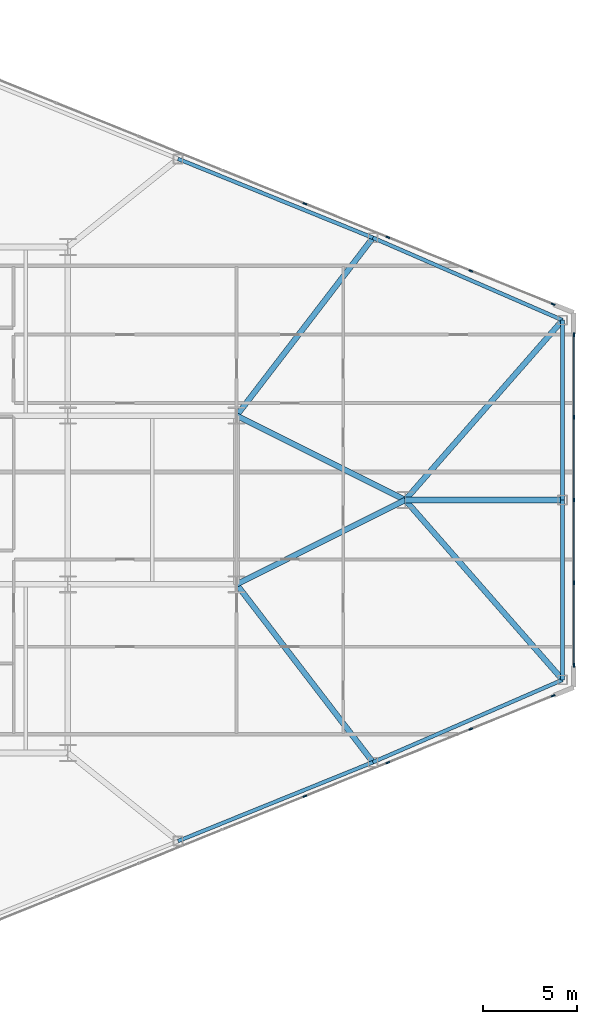
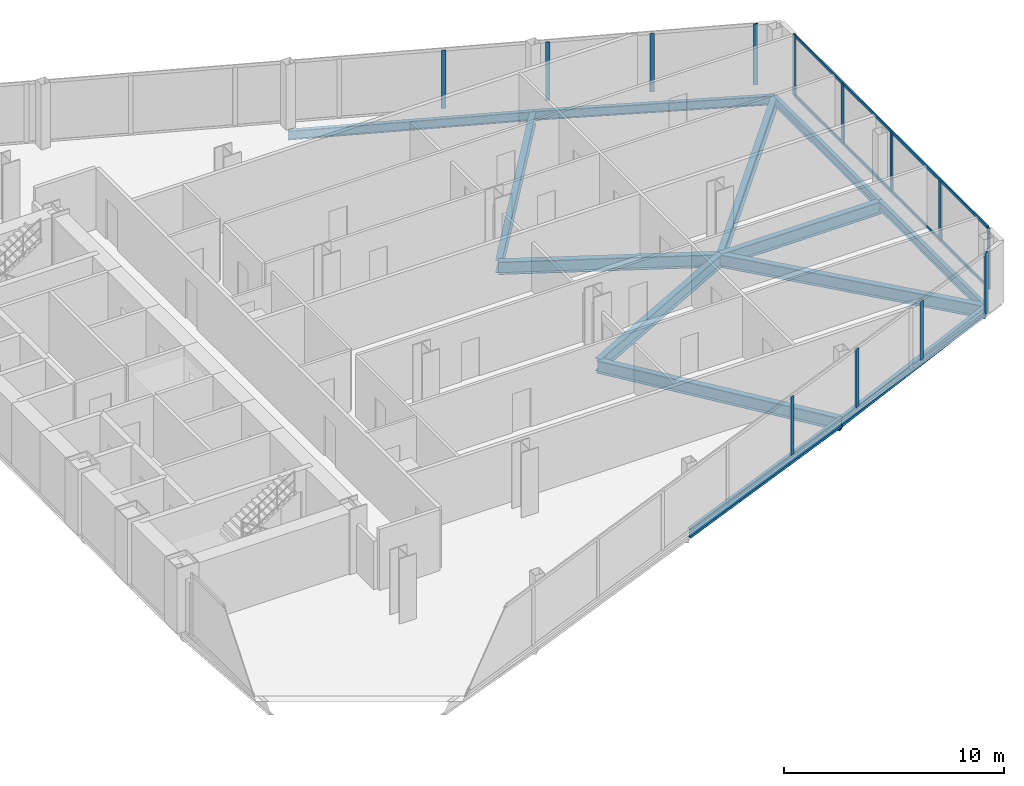
# One storey, part 14 of 25: 15 members, 13 beams, 3 elements without a shape of their own.
"""IFC4 building model written with IfcOpenShell, lengths in metres."""

from ifc_helpers import new_model, si_unit, direction, frame, origin, origin_2d, place, context, subcontext, project, spatial, rectangle, i_section, extrude, source, transform, mapped, material, layer, layer_set, material_profile, profile_set, type_object, type_shapes, element, aggregate, save


model = new_model("IFC4")

# Units and contexts
model_context = context("Model", 3, precision=1e-05, world=origin(), true_north=direction((0.0, 1.0)))
body_context = subcontext(model_context, "Body", "Model", "MODEL_VIEW")
ifc_project = project(units=[si_unit("LENGTHUNIT", "METRE"), si_unit("AREAUNIT", "SQUARE_METRE"), si_unit("VOLUMEUNIT", "CUBIC_METRE"), si_unit("PLANEANGLEUNIT", "RADIAN"), si_unit("MASSUNIT", "GRAM", prefix="KILO")], contexts=[model_context])

# Site, building, storey
site_placement = place(None, origin())
site = spatial("IfcSite", under=ifc_project, at=site_placement, CompositionType="ELEMENT")
building_placement = place(site_placement, origin())
building = spatial("IfcBuilding", under=site, at=building_placement, Name="Seokmaru Belvedere", CompositionType="ELEMENT")
storey_placement = place(building_placement, frame((0.0, 0.0, 51.300048828125)))
storey = spatial("IfcBuildingStorey", under=building, at=storey_placement, Name="L13", CompositionType="ELEMENT", Elevation=51.300048828125)

# Beams
ifc_material_1 = material(Name="Steel SM355 (355 MPa)", Category="steel")
ifc_material_profile_1 = material_profile(ifc_material_1, i_section(OverallWidth=0.300048828125, OverallDepth=0.699951171875, WebThickness=0.012939453125, FlangeThickness=0.02392578125, at=origin_2d()), Name="H-700x300x13x24")
ifc_profile_set_1 = profile_set([ifc_material_profile_1], Name="Steel SM355 (355 MPa)")
beam_type_1 = type_object("IfcBeamType", Name="Primary Floor Girder H-700", PredefinedType="BEAM", material=ifc_profile_set_1)
shared_shape_1 = source(origin(), body_context, "Body", "SweptSolid", [
    extrude(i_section(OverallWidth=0.300048828125, OverallDepth=0.699951171875, WebThickness=0.012939453125, FlangeThickness=0.02392578125, at=origin_2d()), origin(), (0.0, 0.0, 1.0), 10.062255859375),
])
for number, where, z_axis, x_axis, name in (
    (1, (54.5, -4.5, -0.570068359375), (0.894427191, 0.4472135955, 0.0), (-0.4472135955, 0.894427191, 0.0), "L13 E Apex Converging Girder 1"),
    (2, (54.5, 4.5, -0.570068359375), (0.894427191, -0.4472135955, 0.0), (0.4472135955, 0.894427191, 0.0), "L13 E Apex Converging Girder 2"),
):
    element("IfcBeam", number, at=place(storey_placement, frame(where, z_axis=z_axis, x_axis=x_axis)), inside=storey, type_object=beam_type_1, Name=name, PredefinedType="BEAM", context=body_context, shape_type="MappedRepresentation", body=[
        mapped(shared_shape_1, transform((0.0, 0.0, 0.0), scale=1.0)),
    ])
shared_shape_2 = source(origin(), body_context, "Body", "SweptSolid", [
    extrude(i_section(OverallWidth=0.300048828125, OverallDepth=0.699951171875, WebThickness=0.012939453125, FlangeThickness=0.02392578125, at=origin_2d()), origin(), (0.0, 0.0, 1.0), 12.7529296875),
])
for number, where, z_axis, x_axis, name in (
    (3, (71.89990234375, -9.595703125, -0.570068359375), (-0.658667231479, 0.752434368019, 0.0), (-0.752434368019, -0.658667231479, 0.0), "L13 E Apex Radial Floor Girder 1"),
    (4, (71.89990234375, 9.595703125, -0.570068359375), (-0.658667231479, -0.752434368019, 0.0), (0.752434368019, -0.658667231479, 0.0), "L13 E Apex Radial Floor Girder 2"),
):
    element("IfcBeam", number, at=place(storey_placement, frame(where, z_axis=z_axis, x_axis=x_axis)), inside=storey, type_object=beam_type_1, Name=name, PredefinedType="BEAM", context=body_context, shape_type="MappedRepresentation", body=[
        mapped(shared_shape_2, transform((0.0, 0.0, 0.0), scale=1.0)),
    ])
ifc_material_profile_2 = material_profile(ifc_material_1, i_section(OverallWidth=0.199951171875, OverallDepth=0.5, WebThickness=0.010009765625, FlangeThickness=0.01611328125, at=origin_2d()), Name="H-500x200x10x16")
ifc_profile_set_2 = profile_set([ifc_material_profile_2], Name="Steel SM355 (355 MPa)")
beam_type_2 = type_object("IfcBeamType", Name="Perimeter Spandrel Beam H-500", PredefinedType="SPANDREL", material=ifc_profile_set_2)
shared_shape_3 = source(origin(), body_context, "Body", "SweptSolid", [
    extrude(i_section(OverallWidth=0.199951171875, OverallDepth=0.5, WebThickness=0.010009765625, FlangeThickness=0.01611328125, at=origin_2d()), origin(), (0.0, 0.0, 1.0), 11.220703125),
])
for number, where, z_axis, x_axis, name in (
    (5, (51.378173828125, -18.2041015625, -0.469970703125), (0.926944290816, 0.375198989503, 0.0), (-0.375198989503, 0.926944290816, 0.0), "L13 E Faceted Flank Spandrel S-3"),
    (6, (51.378173828125, 18.2041015625, -0.469970703125), (0.926944290816, -0.375198989503, 0.0), (0.375198989503, 0.926944290816, 0.0), "L13 E Faceted Flank Spandrel N-3"),
):
    element("IfcBeam", number, at=place(storey_placement, frame(where, z_axis=z_axis, x_axis=x_axis)), inside=storey, type_object=beam_type_2, Name=name, PredefinedType="SPANDREL", context=body_context, shape_type="MappedRepresentation", body=[
        mapped(shared_shape_3, transform((0.0, 0.0, 0.0), scale=1.0)),
    ])
shared_shape_4 = source(origin(), body_context, "Body", "SweptSolid", [
    extrude(i_section(OverallWidth=0.199951171875, OverallDepth=0.5, WebThickness=0.010009765625, FlangeThickness=0.01611328125, at=origin_2d()), origin(), (0.0, 0.0, 1.0), 11.035400390625),
])
for number, where, z_axis, x_axis, name in (
    (7, (61.779052734375, -13.994140625, -0.469970703125), (0.917134058682, 0.398578873507, 0.0), (-0.398578873507, 0.917134058682, 0.0), "L13 E Faceted Flank Spandrel S-4"),
    (8, (61.779052734375, 13.994140625, -0.469970703125), (0.917134058682, -0.398578873507, 0.0), (0.398578873507, 0.917134058682, 0.0), "L13 E Faceted Flank Spandrel N-4"),
):
    element("IfcBeam", number, at=place(storey_placement, frame(where, z_axis=z_axis, x_axis=x_axis)), inside=storey, type_object=beam_type_2, Name=name, PredefinedType="SPANDREL", context=body_context, shape_type="MappedRepresentation", body=[
        mapped(shared_shape_4, transform((0.0, 0.0, 0.0), scale=1.0)),
    ])
shared_shape_5 = source(origin(), body_context, "Body", "SweptSolid", [
    extrude(i_section(OverallWidth=0.199951171875, OverallDepth=0.5, WebThickness=0.010009765625, FlangeThickness=0.01611328125, at=origin_2d()), origin(), (0.0, 0.0, 1.0), 9.595703125),
])
type_shapes(beam_type_2, [shared_shape_3, shared_shape_4, shared_shape_5])
for number, where, z_axis, x_axis, name in (
    (9, (71.89990234375, -9.595703125, -0.469970703125), (0.0, 1.0, 0.0), (-1.0, 0.0, 0.0), "L13 E Faceted Apex Spandrel S"),
    (10, (71.89990234375, 0.0, -0.469970703125), (0.0, 1.0, 0.0), (-1.0, 0.0, 0.0), "L13 E Faceted Apex Spandrel N"),
):
    element("IfcBeam", number, at=place(storey_placement, frame(where, z_axis=z_axis, x_axis=x_axis)), inside=storey, type_object=beam_type_2, Name=name, PredefinedType="SPANDREL", context=body_context, shape_type="MappedRepresentation", body=[
        mapped(shared_shape_5, transform((0.0, 0.0, 0.0), scale=1.0)),
    ])
shared_shape_6 = source(origin(), body_context, "Body", "SweptSolid", [
    extrude(i_section(OverallWidth=0.300048828125, OverallDepth=0.699951171875, WebThickness=0.012939453125, FlangeThickness=0.02392578125, at=origin_2d()), origin(), (0.0, 0.0, 1.0), 11.96337890625),
])
for number, where, z_axis, x_axis, name in (
    (11, (61.779052734375, -13.994140625, -0.570068359375), (-0.608442682624, 0.793597821294, 0.0), (-0.793597821294, -0.608442682624, 0.0), "L13 E Flank Radial Floor Girder S-3"),
    (12, (61.779052734375, 13.994140625, -0.570068359375), (-0.608442682624, -0.793597821294, 0.0), (0.793597821294, -0.608442682624, 0.0), "L13 E Flank Radial Floor Girder N-3"),
):
    element("IfcBeam", number, at=place(storey_placement, frame(where, z_axis=z_axis, x_axis=x_axis)), inside=storey, type_object=beam_type_1, Name=name, PredefinedType="BEAM", context=body_context, shape_type="MappedRepresentation", body=[
        mapped(shared_shape_6, transform((0.0, 0.0, 0.0), scale=1.0)),
    ])
shared_shape_7 = source(origin(), body_context, "Body", "SweptSolid", [
    extrude(i_section(OverallWidth=0.300048828125, OverallDepth=0.699951171875, WebThickness=0.012939453125, FlangeThickness=0.02392578125, at=origin_2d()), origin(), (0.0, 0.0, 1.0), 8.39990234375),
])
type_shapes(beam_type_1, [shared_shape_1, shared_shape_2, shared_shape_6, shared_shape_7])
beam_placement = place(storey_placement, frame((71.89990234375, 0.0, -0.570068359375), z_axis=(-1.0, 0.0, 0.0), x_axis=(0.0, -1.0, 0.0)))
element("IfcBeam", 13, at=beam_placement, inside=storey, type_object=beam_type_1, Name="L13 E Apex Center Radial Girder", PredefinedType="BEAM", context=body_context, shape_type="MappedRepresentation", body=[
    mapped(shared_shape_7, transform((0.0, 0.0, 0.0), scale=1.0)),
])

# Curtain wall, members
ifc_material_2 = material(Name="Bronze Triple Insulating Glass", Category="glass")
ifc_layer = layer(ifc_material_2, 0.2099609375)
ifc_layer_set = layer_set([ifc_layer], Name="Bronze Triple Insulating Glass")
curtain_wall_type = type_object("IfcCurtainWallType", Name="Low-Rise Faceted Crystal Curtain Wall System CW-2", PredefinedType="NOTDEFINED", material=ifc_layer_set)
curtain_wall_1_placement = place(storey_placement, origin())
curtain_wall_1 = element("IfcCurtainWall", 14, at=curtain_wall_1_placement, inside=storey, type_object=curtain_wall_type, Name="L13 Curtain Wall EF1", PredefinedType="NOTDEFINED")
ifc_material_3 = material(Name="Anodised Bronze Aluminium", Category="aluminium")
ifc_material_profile_3 = material_profile(ifc_material_3, rectangle(XDim=0.074951171875, YDim=0.2099609375, at=origin_2d()), Name="CW-M-75x210")
ifc_profile_set_3 = profile_set([ifc_material_profile_3], Name="Anodised Bronze Aluminium")
member_type_1 = type_object("IfcMemberType", Name="Bronze Unitised Mullion 75x210", PredefinedType="MULLION", material=ifc_profile_set_3)
shared_shape_8 = source(origin(), body_context, "Body", "SweptSolid", [
    extrude(rectangle(XDim=0.074951171875, YDim=0.2099609375, at=origin_2d()), origin(), (0.0, 0.0, 1.0), 3.239990234375),
])
member_1_placement = place(storey_placement, frame((58.144775390625, -15.810546875, 0.070068359375), z_axis=(0.0, 0.0, 1.0), x_axis=(-0.375192321888, 0.926946989637, 0.0)))
member_1 = element("IfcMember", 15, at=member_1_placement, type_object=member_type_1, Name="CW:L13:EF1 Mullion 7", PredefinedType="MULLION", context=body_context, shape_type="MappedRepresentation", body=[
    mapped(shared_shape_8, transform((0.0, 0.0, 0.0), scale=1.0)),
])
member_2_placement = place(storey_placement, frame((62.574462890625, -14.017578125, 0.070068359375), z_axis=(0.0, 0.0, 1.0), x_axis=(-0.375192321888, 0.926946989637, 0.0)))
member_2 = element("IfcMember", 16, at=member_2_placement, type_object=member_type_1, Name="CW:L13:EF1 Mullion 8", PredefinedType="MULLION", context=body_context, shape_type="MappedRepresentation", body=[
    mapped(shared_shape_8, transform((0.0, 0.0, 0.0), scale=1.0)),
])
member_3_placement = place(storey_placement, frame((67.004150390625, -12.224609375, 0.070068359375), z_axis=(0.0, 0.0, 1.0), x_axis=(-0.375192321888, 0.926946989637, 0.0)))
member_3 = element("IfcMember", 17, at=member_3_placement, type_object=member_type_1, Name="CW:L13:EF1 Mullion 9", PredefinedType="MULLION", context=body_context, shape_type="MappedRepresentation", body=[
    mapped(shared_shape_8, transform((0.0, 0.0, 0.0), scale=1.0)),
])

curtain_wall_2_placement = place(storey_placement, origin())
curtain_wall_2 = element("IfcCurtainWall", 18, at=curtain_wall_2_placement, inside=storey, type_object=curtain_wall_type, Name="L13 Curtain Wall EF2", PredefinedType="NOTDEFINED")
member_4_placement = place(storey_placement, frame((72.5, -4.425048828125, 0.070068359375), z_axis=(0.0, 0.0, 1.0), x_axis=(-1.0, 0.0, 0.0)))
member_4 = element("IfcMember", 19, at=member_4_placement, type_object=member_type_1, Name="CW:L13:EF2 Mullion 2", PredefinedType="MULLION", context=body_context, shape_type="MappedRepresentation", body=[
    mapped(shared_shape_8, transform((0.0, 0.0, 0.0), scale=1.0)),
])
member_5_placement = place(storey_placement, frame((72.5, 0.0, 0.070068359375), z_axis=(0.0, 0.0, 1.0), x_axis=(-1.0, 0.0, 0.0)))
member_5 = element("IfcMember", 20, at=member_5_placement, type_object=member_type_1, Name="CW:L13:EF2 Mullion 3", PredefinedType="MULLION", context=body_context, shape_type="MappedRepresentation", body=[
    mapped(shared_shape_8, transform((0.0, 0.0, 0.0), scale=1.0)),
])
member_6_placement = place(storey_placement, frame((72.5, 4.425048828125, 0.070068359375), z_axis=(0.0, 0.0, 1.0), x_axis=(-1.0, 0.0, 0.0)))
member_6 = element("IfcMember", 21, at=member_6_placement, type_object=member_type_1, Name="CW:L13:EF2 Mullion 4", PredefinedType="MULLION", context=body_context, shape_type="MappedRepresentation", body=[
    mapped(shared_shape_8, transform((0.0, 0.0, 0.0), scale=1.0)),
])

curtain_wall_3_placement = place(storey_placement, origin())
curtain_wall_3 = element("IfcCurtainWall", 22, at=curtain_wall_3_placement, inside=storey, type_object=curtain_wall_type, Name="L13 Curtain Wall EF3", PredefinedType="NOTDEFINED")
member_7_placement = place(storey_placement, frame((67.004150390625, 12.224609375, 0.070068359375), z_axis=(0.0, 0.0, 1.0), x_axis=(-0.375192321888, -0.926946989637, 0.0)))
member_7 = element("IfcMember", 23, at=member_7_placement, type_object=member_type_1, Name="CW:L13:EF3 Mullion 2", PredefinedType="MULLION", context=body_context, shape_type="MappedRepresentation", body=[
    mapped(shared_shape_8, transform((0.0, 0.0, 0.0), scale=1.0)),
])
member_8_placement = place(storey_placement, frame((62.574462890625, 14.017578125, 0.070068359375), z_axis=(0.0, 0.0, 1.0), x_axis=(-0.375192321888, -0.926946989637, 0.0)))
member_8 = element("IfcMember", 24, at=member_8_placement, type_object=member_type_1, Name="CW:L13:EF3 Mullion 3", PredefinedType="MULLION", context=body_context, shape_type="MappedRepresentation", body=[
    mapped(shared_shape_8, transform((0.0, 0.0, 0.0), scale=1.0)),
])
member_9_placement = place(storey_placement, frame((58.144775390625, 15.810546875, 0.070068359375), z_axis=(0.0, 0.0, 1.0), x_axis=(-0.375192321888, -0.926946989637, 0.0)))
member_9 = element("IfcMember", 25, at=member_9_placement, type_object=member_type_1, Name="CW:L13:EF3 Mullion 4", PredefinedType="MULLION", context=body_context, shape_type="MappedRepresentation", body=[
    mapped(shared_shape_8, transform((0.0, 0.0, 0.0), scale=1.0)),
])

# Member
ifc_material_profile_4 = material_profile(ifc_material_3, rectangle(XDim=0.070068359375, YDim=0.1650390625, at=origin_2d()), Name="CW-T-70x165")
ifc_profile_set_4 = profile_set([ifc_material_profile_4], Name="Anodised Bronze Aluminium")
member_type_2 = type_object("IfcMemberType", Name="Bronze Unitised Transom 70x165", PredefinedType="USERDEFINED", material=ifc_profile_set_4)
shared_shape_9 = source(origin(), body_context, "Body", "SweptSolid", [
    extrude(rectangle(XDim=0.070068359375, YDim=0.1650390625, at=origin_2d()), origin(), (0.0, 0.0, 1.0), 17.5498046875),
])
type_shapes(member_type_2, [shared_shape_9])
member_10_placement = place(storey_placement, frame((72.5, -8.77490234375, 0.034912109375), z_axis=(0.0, 1.0, 0.0), x_axis=(-1.0, 0.0, 0.0)))
member_10 = element("IfcMember", 26, at=member_10_placement, type_object=member_type_2, Name="CW:L13:EF2 Continuous Transom 1", ObjectType="TRANSOM", PredefinedType="USERDEFINED", context=body_context, shape_type="MappedRepresentation", body=[
    mapped(shared_shape_9, transform((0.0, 0.0, 0.0), scale=1.0)),
])

member_11_placement = place(storey_placement, frame((72.5, -8.77490234375, 3.344970703125), z_axis=(0.0, 1.0, 0.0), x_axis=(-1.0, 0.0, 0.0)))
member_11 = element("IfcMember", 27, at=member_11_placement, type_object=member_type_2, Name="CW:L13:EF2 Continuous Transom 2", ObjectType="TRANSOM", PredefinedType="USERDEFINED", context=body_context, shape_type="MappedRepresentation", body=[
    mapped(shared_shape_9, transform((0.0, 0.0, 0.0), scale=1.0)),
])

shared_shape_10 = source(origin(), body_context, "Body", "SweptSolid", [
    extrude(rectangle(XDim=0.074951171875, YDim=0.2099609375, at=origin_2d()), origin(), (0.0, 0.0, 1.0), 3.3798828125),
])
type_shapes(member_type_1, [shared_shape_8, shared_shape_10])
member_12_placement = place(storey_placement, frame((71.399169921875, -10.445556640625, 0.0), z_axis=(0.0, 0.0, 1.0), x_axis=(-0.375192321888, 0.926946989637, 0.0)))
member_12 = element("IfcMember", 28, at=member_12_placement, type_object=member_type_1, Name="CW:L13:EF1 Mullion 10", PredefinedType="MULLION", context=body_context, shape_type="MappedRepresentation", body=[
    mapped(shared_shape_10, transform((0.0, 0.0, 0.0), scale=1.0)),
])

aggregate(curtain_wall_1, [member_1, member_2, member_3, member_12])

member_13_placement = place(storey_placement, frame((72.5, -8.8125, 0.0), z_axis=(0.0, 0.0, 1.0), x_axis=(-1.0, 0.0, 0.0)))
member_13 = element("IfcMember", 29, at=member_13_placement, type_object=member_type_1, Name="CW:L13:EF2 Mullion 1", PredefinedType="MULLION", context=body_context, shape_type="MappedRepresentation", body=[
    mapped(shared_shape_10, transform((0.0, 0.0, 0.0), scale=1.0)),
])

member_14_placement = place(storey_placement, frame((72.5, 8.8125, 0.0), z_axis=(0.0, 0.0, 1.0), x_axis=(-1.0, 0.0, 0.0)))
member_14 = element("IfcMember", 30, at=member_14_placement, type_object=member_type_1, Name="CW:L13:EF2 Mullion 5", PredefinedType="MULLION", context=body_context, shape_type="MappedRepresentation", body=[
    mapped(shared_shape_10, transform((0.0, 0.0, 0.0), scale=1.0)),
])

aggregate(curtain_wall_2, [member_13, member_4, member_5, member_6, member_14, member_10, member_11])

member_15_placement = place(storey_placement, frame((71.399169921875, 10.445556640625, 0.0), z_axis=(0.0, 0.0, 1.0), x_axis=(-0.375192321888, -0.926946989637, 0.0)))
member_15 = element("IfcMember", 31, at=member_15_placement, type_object=member_type_1, Name="CW:L13:EF3 Mullion 1", PredefinedType="MULLION", context=body_context, shape_type="MappedRepresentation", body=[
    mapped(shared_shape_10, transform((0.0, 0.0, 0.0), scale=1.0)),
])

aggregate(curtain_wall_3, [member_15, member_7, member_8, member_9])

save(model, "model.ifc")
